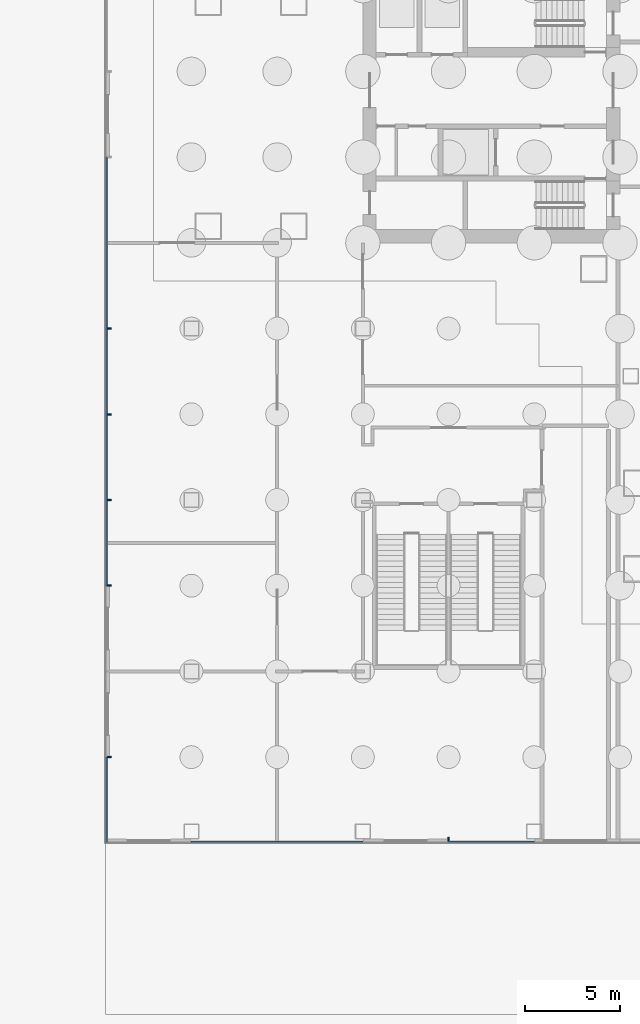
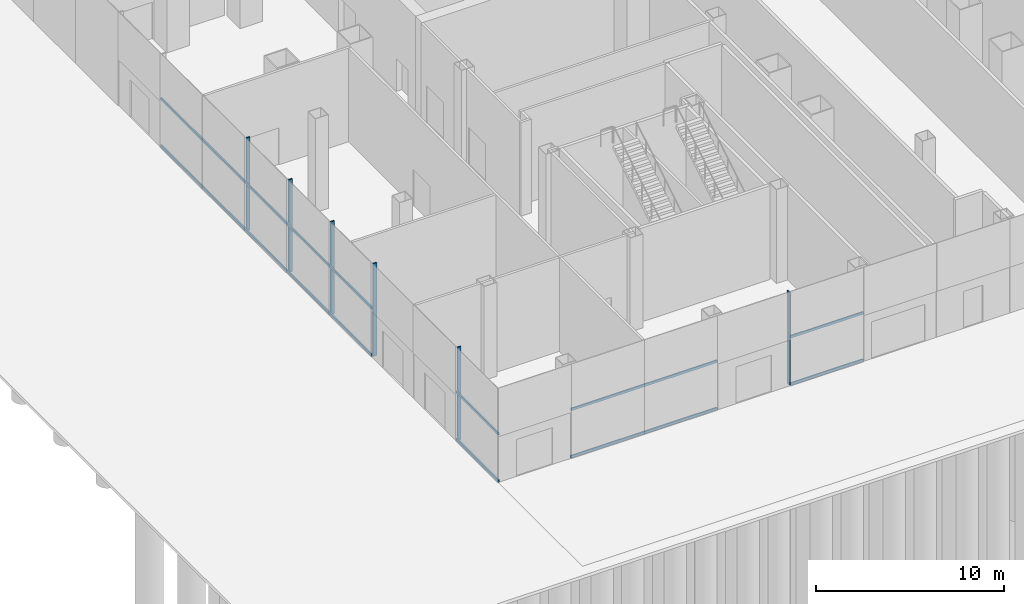
# One storey, part 7 of 37: 14 members, 2 elements without a shape of their own.
"""IFC4 building model written with IfcOpenShell, lengths in metres."""

from ifc_helpers import new_model, si_unit, direction, frame, origin, origin_2d, place, context, subcontext, project, spatial, rectangle, extrude, material, layer, layer_set, material_profile, profile_set, type_object, element, aggregate, save


model = new_model("IFC4")

# Units and contexts
model_context = context("Model", 3, precision=1e-05, world=origin(), true_north=direction((0.0, 1.0)))
body_context = subcontext(model_context, "Body", "Model", "MODEL_VIEW")
ifc_project = project(units=[si_unit("LENGTHUNIT", "METRE"), si_unit("AREAUNIT", "SQUARE_METRE"), si_unit("VOLUMEUNIT", "CUBIC_METRE"), si_unit("PLANEANGLEUNIT", "RADIAN"), si_unit("MASSUNIT", "GRAM", prefix="KILO")], contexts=[model_context])

# Site, building, storey
site_placement = place(None, origin())
site = spatial("IfcSite", under=ifc_project, at=site_placement, CompositionType="ELEMENT")
building_placement = place(site_placement, origin())
building = spatial("IfcBuilding", under=site, at=building_placement, Name="Shamsa Quay Exchange Towers", CompositionType="ELEMENT")
storey_placement = place(building_placement, origin())
storey = spatial("IfcBuildingStorey", under=building, at=storey_placement, Name="L00", CompositionType="ELEMENT", Elevation=0.0)

# Curtain wall, members
ifc_material = material(Name="Aluminium EN AW-6063 T6, black anodised", Category="aluminium")
ifc_layer = layer(ifc_material, 0.33203125)
ifc_layer_set = layer_set([ifc_layer], Name="CW-3 PODIUM SHOPFRONT GLAZING")
curtain_wall_type = type_object("IfcCurtainWallType", Name="CW-3 PODIUM SHOPFRONT GLAZING", PredefinedType="NOTDEFINED", material=ifc_layer_set)
curtain_wall_1_placement = place(storey_placement, origin())
curtain_wall_1 = element("IfcCurtainWall", 1, at=curtain_wall_1_placement, inside=storey, type_object=curtain_wall_type, Name="CW3 PODIUM-L00-F02", PredefinedType="NOTDEFINED")
ifc_material_profile_1 = material_profile(ifc_material, rectangle(XDim=0.219970703125, YDim=0.080078125, at=origin_2d()), Name="MU80x220")
ifc_profile_set_1 = profile_set([ifc_material_profile_1], Name="Aluminium EN AW-6063 T6, black anodised")
member_type_1 = type_object("IfcMemberType", Name="CW3 MULLION 80x220", PredefinedType="MULLION", material=ifc_profile_set_1)
member_1_placement = place(storey_placement, frame((-67.31005859375, -11.25, 0.0)))
member_1 = element("IfcMember", 2, at=member_1_placement, type_object=member_type_1, Name="CW3 mullion", PredefinedType="MULLION", context=body_context, shape_type="SweptSolid", body=[
    extrude(rectangle(XDim=0.219970703125, YDim=0.080078125, at=origin_2d()), origin(), (0.0, 0.0, 1.0), 6.050048828125),
])
member_2_placement = place(storey_placement, frame((-67.31005859375, -15.75, 0.0)))
member_2 = element("IfcMember", 3, at=member_2_placement, type_object=member_type_1, Name="CW3 mullion", PredefinedType="MULLION", context=body_context, shape_type="SweptSolid", body=[
    extrude(rectangle(XDim=0.219970703125, YDim=0.080078125, at=origin_2d()), origin(), (0.0, 0.0, 1.0), 6.050048828125),
])
member_3_placement = place(storey_placement, frame((-67.31005859375, -20.25, 0.0)))
member_3 = element("IfcMember", 4, at=member_3_placement, type_object=member_type_1, Name="CW3 mullion", PredefinedType="MULLION", context=body_context, shape_type="SweptSolid", body=[
    extrude(rectangle(XDim=0.219970703125, YDim=0.080078125, at=origin_2d()), origin(), (0.0, 0.0, 1.0), 6.050048828125),
])
member_4_placement = place(storey_placement, frame((-67.31005859375, -24.75, 0.0)))
member_4 = element("IfcMember", 5, at=member_4_placement, type_object=member_type_1, Name="CW3 mullion", PredefinedType="MULLION", context=body_context, shape_type="SweptSolid", body=[
    extrude(rectangle(XDim=0.219970703125, YDim=0.080078125, at=origin_2d()), origin(), (0.0, 0.0, 1.0), 6.050048828125),
])
member_5_placement = place(storey_placement, frame((-67.31005859375, -33.75, 0.0)))
member_5 = element("IfcMember", 6, at=member_5_placement, type_object=member_type_1, Name="CW3 mullion", PredefinedType="MULLION", context=body_context, shape_type="SweptSolid", body=[
    extrude(rectangle(XDim=0.219970703125, YDim=0.080078125, at=origin_2d()), origin(), (0.0, 0.0, 1.0), 6.050048828125),
])

# Curtain wall, member
curtain_wall_2_placement = place(storey_placement, origin())
curtain_wall_2 = element("IfcCurtainWall", 7, at=curtain_wall_2_placement, inside=storey, type_object=curtain_wall_type, Name="CW3 PODIUM-L00-F03", PredefinedType="NOTDEFINED")
member_6_placement = place(storey_placement, frame((-49.5, -38.06005859375, 0.0), z_axis=(0.0, 0.0, 1.0), x_axis=(0.0, 1.0, 0.0)))
member_6 = element("IfcMember", 8, at=member_6_placement, type_object=member_type_1, Name="CW3 mullion", PredefinedType="MULLION", context=body_context, shape_type="SweptSolid", body=[
    extrude(rectangle(XDim=0.219970703125, YDim=0.080078125, at=origin_2d()), origin(), (0.0, 0.0, 1.0), 6.050048828125),
])

# Member
ifc_material_profile_2 = material_profile(ifc_material, rectangle(XDim=0.080078125, YDim=0.159912109375, at=origin_2d()), Name="TR160x80")
ifc_profile_set_2 = profile_set([ifc_material_profile_2], Name="Aluminium EN AW-6063 T6, black anodised")
member_type_2 = type_object("IfcMemberType", Name="CW3 TRANSOM 160x80", PredefinedType="USERDEFINED", material=ifc_profile_set_2)
member_7_placement = place(storey_placement, frame((-67.4599609375, -2.25, 0.080078125), z_axis=(0.0, -1.0, 0.0), x_axis=(1.0, 0.0, 0.0)))
member_7 = element("IfcMember", 9, at=member_7_placement, type_object=member_type_2, Name="CW3 transom", ObjectType="TRANSOM", PredefinedType="USERDEFINED", context=body_context, shape_type="SweptSolid", body=[
    extrude(rectangle(XDim=0.080078125, YDim=0.159912109375, at=origin_2d()), origin(), (0.0, 0.0, 1.0), 22.5),
])

member_8_placement = place(storey_placement, frame((-67.4599609375, -2.25, 3.155029296875), z_axis=(0.0, -1.0, 0.0), x_axis=(1.0, 0.0, 0.0)))
member_8 = element("IfcMember", 10, at=member_8_placement, type_object=member_type_2, Name="CW3 transom", ObjectType="TRANSOM", PredefinedType="USERDEFINED", context=body_context, shape_type="SweptSolid", body=[
    extrude(rectangle(XDim=0.080078125, YDim=0.159912109375, at=origin_2d()), origin(), (0.0, 0.0, 1.0), 22.5),
])

member_9_placement = place(storey_placement, frame((-67.4599609375, -33.75, 0.080078125), z_axis=(0.0, -1.0, 0.0), x_axis=(1.0, 0.0, 0.0)))
member_9 = element("IfcMember", 11, at=member_9_placement, type_object=member_type_2, Name="CW3 transom", ObjectType="TRANSOM", PredefinedType="USERDEFINED", context=body_context, shape_type="SweptSolid", body=[
    extrude(rectangle(XDim=0.080078125, YDim=0.159912109375, at=origin_2d()), origin(), (0.0, 0.0, 1.0), 4.5),
])

member_10_placement = place(storey_placement, frame((-67.4599609375, -33.75, 3.155029296875), z_axis=(0.0, -1.0, 0.0), x_axis=(1.0, 0.0, 0.0)))
member_10 = element("IfcMember", 12, at=member_10_placement, type_object=member_type_2, Name="CW3 transom", ObjectType="TRANSOM", PredefinedType="USERDEFINED", context=body_context, shape_type="SweptSolid", body=[
    extrude(rectangle(XDim=0.080078125, YDim=0.159912109375, at=origin_2d()), origin(), (0.0, 0.0, 1.0), 4.5),
])

aggregate(curtain_wall_1, [member_7, member_8, member_9, member_10, member_1, member_2, member_3, member_4, member_5])

member_11_placement = place(storey_placement, frame((-63.0, -38.2099609375, 0.080078125), z_axis=(1.0, 0.0, 0.0), x_axis=(0.0, 1.0, 0.0)))
member_11 = element("IfcMember", 13, at=member_11_placement, type_object=member_type_2, Name="CW3 transom", ObjectType="TRANSOM", PredefinedType="USERDEFINED", context=body_context, shape_type="SweptSolid", body=[
    extrude(rectangle(XDim=0.080078125, YDim=0.159912109375, at=origin_2d()), origin(), (0.0, 0.0, 1.0), 9.0),
])

member_12_placement = place(storey_placement, frame((-63.0, -38.2099609375, 3.155029296875), z_axis=(1.0, 0.0, 0.0), x_axis=(0.0, 1.0, 0.0)))
member_12 = element("IfcMember", 14, at=member_12_placement, type_object=member_type_2, Name="CW3 transom", ObjectType="TRANSOM", PredefinedType="USERDEFINED", context=body_context, shape_type="SweptSolid", body=[
    extrude(rectangle(XDim=0.080078125, YDim=0.159912109375, at=origin_2d()), origin(), (0.0, 0.0, 1.0), 9.0),
])

member_13_placement = place(storey_placement, frame((-49.5, -38.2099609375, 0.080078125), z_axis=(1.0, 0.0, 0.0), x_axis=(0.0, 1.0, 0.0)))
member_13 = element("IfcMember", 15, at=member_13_placement, type_object=member_type_2, Name="CW3 transom", ObjectType="TRANSOM", PredefinedType="USERDEFINED", context=body_context, shape_type="SweptSolid", body=[
    extrude(rectangle(XDim=0.080078125, YDim=0.159912109375, at=origin_2d()), origin(), (0.0, 0.0, 1.0), 4.5),
])

member_14_placement = place(storey_placement, frame((-49.5, -38.2099609375, 3.155029296875), z_axis=(1.0, 0.0, 0.0), x_axis=(0.0, 1.0, 0.0)))
member_14 = element("IfcMember", 16, at=member_14_placement, type_object=member_type_2, Name="CW3 transom", ObjectType="TRANSOM", PredefinedType="USERDEFINED", context=body_context, shape_type="SweptSolid", body=[
    extrude(rectangle(XDim=0.080078125, YDim=0.159912109375, at=origin_2d()), origin(), (0.0, 0.0, 1.0), 4.5),
])

aggregate(curtain_wall_2, [member_11, member_12, member_13, member_14, member_6])

save(model, "model.ifc")
